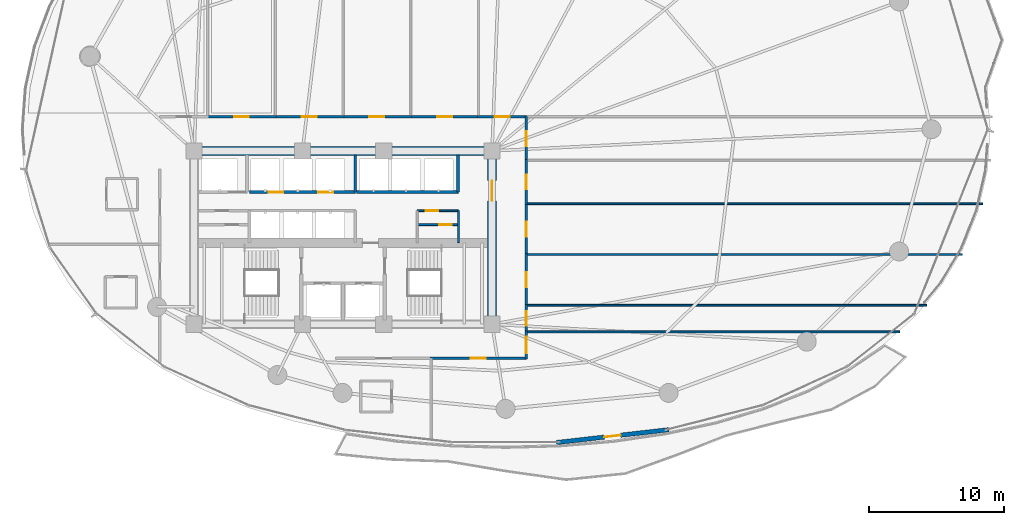
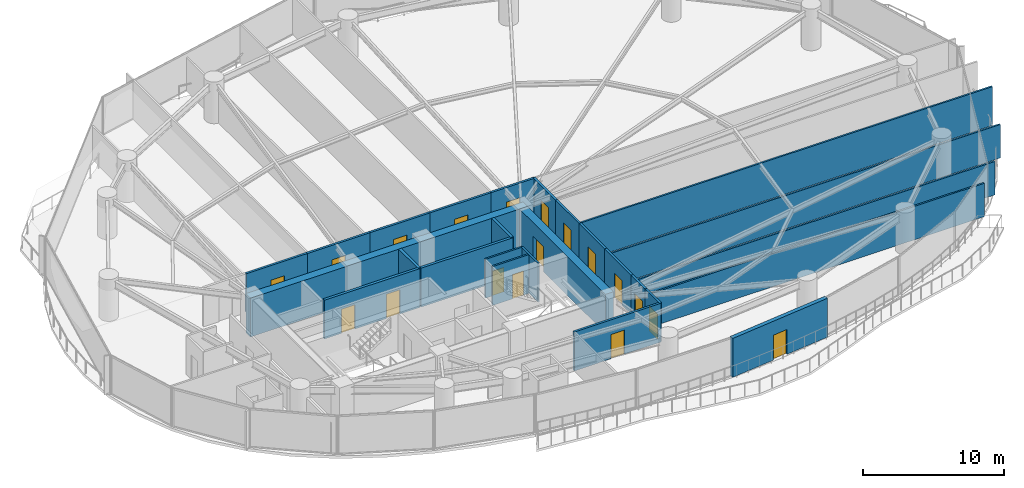
# One storey, part 27 of 34: 26 walls, 18 doors, 18 openings.
"""IFC4 building model written with IfcOpenShell, lengths in metres."""

from ifc_helpers import new_model, si_unit, direction, frame, frame_2d, origin, place, context, subcontext, project, spatial, rectangle, extrude, material, layer, layer_set, type_object, element, fill, save


model = new_model("IFC4")

# Units and contexts
model_context = context("Model", 3, precision=1e-05, world=origin(), true_north=direction((0.0, 1.0)))
body_context = subcontext(model_context, "Body", "Model", "MODEL_VIEW")
ifc_project = project(units=[si_unit("LENGTHUNIT", "METRE"), si_unit("AREAUNIT", "SQUARE_METRE"), si_unit("VOLUMEUNIT", "CUBIC_METRE"), si_unit("PLANEANGLEUNIT", "RADIAN"), si_unit("MASSUNIT", "GRAM", prefix="KILO")], contexts=[model_context])

# Site, building, storey
site_placement = place(None, origin())
site = spatial("IfcSite", under=ifc_project, at=site_placement, CompositionType="ELEMENT")
building_placement = place(site_placement, origin())
building = spatial("IfcBuilding", under=site, at=building_placement, Name="Kazevale Care Tower and Concert Hall", CompositionType="ELEMENT")
storey_placement = place(building_placement, frame((0.0, 0.0, 67.199951171875)))
storey = spatial("IfcBuildingStorey", under=building, at=storey_placement, Name="L17", CompositionType="ELEMENT", Elevation=67.199951171875)

# Wall
ifc_material_1 = material(Name="Acoustic Gypsum on Steel Stud", Category="steel")
ifc_layer_1 = layer(ifc_material_1, 0.139892578125)
ifc_layer_set_1 = layer_set([ifc_layer_1], Name="Acoustic Gypsum on Steel Stud")
wall_type_1 = type_object("IfcWallType", Name="Acoustic Care & Suite Partition 140", PredefinedType="PARTITIONING", material=ifc_layer_set_1)
wall_1_placement = place(storey_placement, frame((41.52001953125, 29.6201171875, 0.0), z_axis=(0.0, 0.0, 1.0), x_axis=(0.0, 1.0, 0.0)))
element("IfcWall", 1, at=wall_1_placement, inside=storey, type_object=wall_type_1, Name="wall:L17:kc_ee", PredefinedType="PARTITIONING", context=body_context, shape_type="SweptSolid", body=[
    extrude(rectangle(XDim=2.35986328125, YDim=0.139892578125, at=frame_2d((1.179931640625, 0.0))), origin(), (0.0, 0.0, 1.0), 3.360107421875),
])

# Wall, opening, door
wall_2_placement = place(storey_placement, frame((38.47998046875, 30.949951171875, 0.0), z_axis=(0.0, 0.0, 1.0), x_axis=(1.0, 0.0, 0.0)))
wall_2 = element("IfcWall", 2, at=wall_2_placement, inside=storey, type_object=wall_type_1, Name="wall:L17:kc_em", PredefinedType="PARTITIONING", context=body_context, shape_type="SweptSolid", body=[
    extrude(rectangle(XDim=3.0400390625, YDim=0.139892578125, at=frame_2d((1.52001953125, 0.0))), origin(), (0.0, 0.0, 1.0), 3.360107421875),
])
opening_1_placement = place(wall_2_placement, frame((1.616943359375, 0.0, 0.0)))
opening_1 = element("IfcOpeningElement", 3, at=opening_1_placement, cuts=wall_2, Name="Opening ID-900", PredefinedType="OPENING", context=body_context, shape_type="SweptSolid", body=[
    extrude(rectangle(XDim=0.919921875, YDim=2.10009765625, at=frame_2d((0.4599609375, 1.050048828125))), frame((0.0, 0.079833984375, 0.0), z_axis=(0.0, -1.0, 0.0), x_axis=(1.0, 0.0, 0.0)), (0.0, 0.0, 1.0), 0.159912109375),
])
ifc_material_2 = material(Name="Oak Timber Fire Leaf", Category="wood")
door_type_1 = type_object("IfcDoorType", Name="Bathroom & Service Door 920x2100", OperationType="NOTDEFINED", PredefinedType="DOOR", material=ifc_material_2)
door_1_placement = place(opening_1_placement, origin())
door_1 = element("IfcDoor", 4, at=door_1_placement, inside=storey, type_object=door_type_1, Name="door:L17:d_kceb", OperationType="SINGLE_SWING_RIGHT", OverallHeight=2.10009765625, OverallWidth=0.919921875, PredefinedType="DOOR", context=body_context, shape_type="SweptSolid", body=[
    extrude(rectangle(XDim=0.919921875, YDim=2.10009765625, at=frame_2d((0.4599609375, 1.050048828125))), frame((0.0, 0.02490234375, 0.0), z_axis=(0.0, -1.0, 0.0), x_axis=(1.0, 0.0, 0.0)), (0.0, 0.0, 1.0), 0.050048828125),
])
fill(opening_1, door_1)

wall_3_placement = place(storey_placement, frame((38.47998046875, 31.97998046875, 0.0), z_axis=(0.0, 0.0, 1.0), x_axis=(1.0, 0.0, 0.0)))
wall_3 = element("IfcWall", 5, at=wall_3_placement, inside=storey, type_object=wall_type_1, Name="wall:L17:kc_en", PredefinedType="PARTITIONING", context=body_context, shape_type="SweptSolid", body=[
    extrude(rectangle(XDim=3.0400390625, YDim=0.139892578125, at=frame_2d((1.52001953125, 0.0))), origin(), (0.0, 0.0, 1.0), 3.360107421875),
])
opening_2_placement = place(wall_3_placement, frame((0.614013671875, 0.0, 0.0)))
opening_2 = element("IfcOpeningElement", 6, at=opening_2_placement, cuts=wall_3, Name="Opening ID-900", PredefinedType="OPENING", context=body_context, shape_type="SweptSolid", body=[
    extrude(rectangle(XDim=0.919921875, YDim=2.10009765625, at=frame_2d((0.4599609375, 1.050048828125))), frame((0.0, 0.079833984375, 0.0), z_axis=(0.0, -1.0, 0.0), x_axis=(1.0, 0.0, 0.0)), (0.0, 0.0, 1.0), 0.159912109375),
])
door_2_placement = place(opening_2_placement, origin())
door_2 = element("IfcDoor", 7, at=door_2_placement, inside=storey, type_object=door_type_1, Name="door:L17:d_kcet", OperationType="SINGLE_SWING_LEFT", OverallHeight=2.10009765625, OverallWidth=0.919921875, PredefinedType="DOOR", context=body_context, shape_type="SweptSolid", body=[
    extrude(rectangle(XDim=0.919921875, YDim=2.10009765625, at=frame_2d((0.4599609375, 1.050048828125))), frame((0.0, 0.02490234375, 0.0), z_axis=(0.0, -1.0, 0.0), x_axis=(1.0, 0.0, 0.0)), (0.0, 0.0, 1.0), 0.050048828125),
])
fill(opening_2, door_2)

# Walls
wall_4_placement = place(storey_placement, frame((46.4951171875, 23.0400390625, 0.0), z_axis=(0.0, 0.0, 1.0), x_axis=(1.0, 0.0, 0.0)))
element("IfcWall", 8, at=wall_4_placement, inside=storey, type_object=wall_type_1, Name="wall:L17:auto_023", PredefinedType="PARTITIONING", context=body_context, shape_type="SweptSolid", body=[
    extrude(rectangle(XDim=27.599853515625, YDim=0.139892578125, at=frame_2d((13.7998046875, 0.0))), origin(), (0.0, 0.0, 1.0), 2.89013671875),
])
wall_5_placement = place(storey_placement, frame((46.4951171875, 25.0, 0.0), z_axis=(0.0, 0.0, 1.0), x_axis=(1.0, 0.0, 0.0)))
element("IfcWall", 9, at=wall_5_placement, inside=storey, type_object=wall_type_1, Name="wall:L17:auto_024", PredefinedType="PARTITIONING", context=body_context, shape_type="SweptSolid", body=[
    extrude(rectangle(XDim=29.591796875, YDim=0.139892578125, at=frame_2d((14.7958984375, 0.0))), origin(), (0.0, 0.0, 1.0), 2.89013671875),
])
wall_6_placement = place(storey_placement, frame((46.4951171875, 28.75, 0.0), z_axis=(0.0, 0.0, 1.0), x_axis=(1.0, 0.0, 0.0)))
element("IfcWall", 10, at=wall_6_placement, inside=storey, type_object=wall_type_1, Name="wall:L17:auto_025", PredefinedType="PARTITIONING", context=body_context, shape_type="SweptSolid", body=[
    extrude(rectangle(XDim=32.2119140625, YDim=0.139892578125, at=frame_2d((16.10595703125, 0.0))), origin(), (0.0, 0.0, 1.0), 2.89013671875),
])
wall_7_placement = place(storey_placement, frame((46.4951171875, 32.5, 0.0), z_axis=(0.0, 0.0, 1.0), x_axis=(1.0, 0.0, 0.0)))
element("IfcWall", 11, at=wall_7_placement, inside=storey, type_object=wall_type_1, Name="wall:L17:auto_026", PredefinedType="PARTITIONING", context=body_context, shape_type="SweptSolid", body=[
    extrude(rectangle(XDim=33.722900390625, YDim=0.139892578125, at=frame_2d((16.861328125, 0.0))), origin(), (0.0, 0.0, 1.0), 3.360107421875),
])
ifc_material_3 = material(Name="Concrete C70", Category="concrete")
ifc_layer_2 = layer(ifc_material_3, 0.64990234375)
ifc_layer_set_2 = layer_set([ifc_layer_2], Name="Concrete C70")
wall_type_2 = type_object("IfcWallType", Name="Core Shear Wall 650 C70", PredefinedType="SHEAR", material=ifc_layer_set_2)
wall_8_placement = place(storey_placement, frame((21.675048828125, 36.39990234375, 0.0), z_axis=(0.0, 0.0, 1.0), x_axis=(1.0, 0.0, 0.0)))
element("IfcWall", 12, at=wall_8_placement, inside=storey, type_object=wall_type_2, Name="wall:L17:core:N", PredefinedType="SHEAR", context=body_context, shape_type="SweptSolid", body=[
    extrude(rectangle(XDim=22.64990234375, YDim=0.64990234375, at=frame_2d((11.324951171875, 0.0))), origin(), (0.0, 0.0, 1.0), 3.360107421875),
])

# Wall, opening, door
wall_9_placement = place(storey_placement, frame((44.0, 23.925048828125, 0.0), z_axis=(0.0, 0.0, 1.0), x_axis=(0.0, 1.0, 0.0)))
wall_9 = element("IfcWall", 13, at=wall_9_placement, inside=storey, type_object=wall_type_2, Name="wall:L17:core:E", PredefinedType="SHEAR", context=body_context, shape_type="SweptSolid", body=[
    extrude(rectangle(XDim=12.14990234375, YDim=0.64990234375, at=frame_2d((6.074951171875, 0.0))), origin(), (0.0, 0.0, 1.0), 3.360107421875),
])
opening_3_placement = place(wall_9_placement, frame((8.77490234375, 0.0, 0.0)))
opening_3 = element("IfcOpeningElement", 14, at=opening_3_placement, cuts=wall_9, Name="Opening FD-60D", PredefinedType="OPENING", context=body_context, shape_type="SweptSolid", body=[
    extrude(rectangle(XDim=1.5, YDim=2.14990234375, at=frame_2d((0.75, 1.074951171875))), frame((0.0, 0.3349609375, 0.0), z_axis=(0.0, -1.0, 0.0), x_axis=(1.0, 0.0, 0.0)), (0.0, 0.0, 1.0), 0.669921875),
])
door_type_2 = type_object("IfcDoorType", Name="Double Lobby & Auditorium Fire Door 1500x2150", OperationType="NOTDEFINED", PredefinedType="DOOR", material=ifc_material_2)
door_3_placement = place(opening_3_placement, origin())
door_3 = element("IfcDoor", 15, at=door_3_placement, inside=storey, type_object=door_type_2, Name="door:L17:core_east_out", OperationType="DOUBLE_DOOR_SINGLE_SWING", OverallHeight=2.14990234375, OverallWidth=1.5, PredefinedType="DOOR", context=body_context, shape_type="SweptSolid", body=[
    extrude(rectangle(XDim=1.5, YDim=2.14990234375, at=frame_2d((0.75, 1.074951171875))), frame((0.0, 0.02490234375, 0.0), z_axis=(0.0, -1.0, 0.0), x_axis=(1.0, 0.0, 0.0)), (0.0, 0.0, 1.0), 0.050048828125),
])
fill(opening_3, door_3)

# Wall, openings, doors
ifc_material_4 = material(Name="Concrete C40", Category="concrete")
ifc_layer_3 = layer(ifc_material_4, 0.219970703125)
ifc_layer_set_3 = layer_set([ifc_layer_3], Name="Concrete C40")
wall_type_3 = type_object("IfcWallType", Name="Elevator Hoistway Shaft Wall 220", PredefinedType="SOLIDWALL", material=ifc_layer_set_3)
wall_10_placement = place(storey_placement, frame((26.10009765625, 33.35009765625, 0.0), z_axis=(0.0, 0.0, 1.0), x_axis=(1.0, 0.0, 0.0)))
wall_10 = element("IfcWall", 16, at=wall_10_placement, inside=storey, type_object=wall_type_3, Name="wall:L17:c_pl_s", PredefinedType="SOLIDWALL", context=body_context, shape_type="SweptSolid", body=[
    extrude(rectangle(XDim=7.7998046875, YDim=0.219970703125, at=frame_2d((3.89990234375, 0.0))), origin(), (0.0, 0.0, 1.0), 3.360107421875),
])
opening_4_placement = place(wall_10_placement, frame((1.39990234375, 0.0, 0.0)))
opening_4 = element("IfcOpeningElement", 17, at=opening_4_placement, cuts=wall_10, Name="Opening LD-PAX", PredefinedType="OPENING", context=body_context, shape_type="SweptSolid", body=[
    extrude(rectangle(XDim=1.10009765625, YDim=2.10009765625, at=frame_2d((0.550048828125, 1.050048828125))), frame((0.0, 0.119873046875, 0.0), z_axis=(0.0, -1.0, 0.0), x_axis=(1.0, 0.0, 0.0)), (0.0, 0.0, 1.0), 0.239990234375),
])
opening_5_placement = place(wall_10_placement, frame((5.06591796875, 0.0, 0.0)))
opening_5 = element("IfcOpeningElement", 18, at=opening_5_placement, cuts=wall_10, Name="Opening LD-PAX", PredefinedType="OPENING", context=body_context, shape_type="SweptSolid", body=[
    extrude(rectangle(XDim=1.10009765625, YDim=2.10009765625, at=frame_2d((0.550048828125, 1.050048828125))), frame((0.0, 0.119873046875, 0.0), z_axis=(0.0, -1.0, 0.0), x_axis=(1.0, 0.0, 0.0)), (0.0, 0.0, 1.0), 0.239990234375),
])
ifc_material_5 = material(Name="Stainless Steel 316", Category="steel")
door_type_3 = type_object("IfcDoorType", Name="Passenger Lift Sliding Landing Door 1100x2100", OperationType="NOTDEFINED", PredefinedType="DOOR", material=ifc_material_5)
door_4_placement = place(opening_4_placement, origin())
door_4 = element("IfcDoor", 19, at=door_4_placement, inside=storey, type_object=door_type_3, Name="door:L17:ld_pl1", OperationType="SLIDING_TO_LEFT", OverallHeight=2.10009765625, OverallWidth=1.10009765625, PredefinedType="DOOR", context=body_context, shape_type="SweptSolid", body=[
    extrude(rectangle(XDim=1.10009765625, YDim=2.10009765625, at=frame_2d((0.550048828125, 1.050048828125))), frame((0.0, 0.02490234375, 0.0), z_axis=(0.0, -1.0, 0.0), x_axis=(1.0, 0.0, 0.0)), (0.0, 0.0, 1.0), 0.050048828125),
])
fill(opening_4, door_4)
door_5_placement = place(opening_5_placement, origin())
door_5 = element("IfcDoor", 20, at=door_5_placement, inside=storey, type_object=door_type_3, Name="door:L17:ld_pl2", OperationType="SLIDING_TO_RIGHT", OverallHeight=2.10009765625, OverallWidth=1.10009765625, PredefinedType="DOOR", context=body_context, shape_type="SweptSolid", body=[
    extrude(rectangle(XDim=1.10009765625, YDim=2.10009765625, at=frame_2d((0.550048828125, 1.050048828125))), frame((0.0, 0.02490234375, 0.0), z_axis=(0.0, -1.0, 0.0), x_axis=(1.0, 0.0, 0.0)), (0.0, 0.0, 1.0), 0.050048828125),
])
fill(opening_5, door_5)

# Walls
wall_11_placement = place(storey_placement, frame((33.89990234375, 33.35009765625, 0.0), z_axis=(0.0, 0.0, 1.0), x_axis=(0.0, 1.0, 0.0)))
element("IfcWall", 21, at=wall_11_placement, inside=storey, type_object=wall_type_3, Name="wall:L17:c_pl_e", PredefinedType="SOLIDWALL", context=body_context, shape_type="SweptSolid", body=[
    extrude(rectangle(XDim=2.72998046875, YDim=0.219970703125, at=frame_2d((1.364990234375, 0.0))), origin(), (0.0, 0.0, 1.0), 3.360107421875),
])
wall_12_placement = place(storey_placement, frame((33.97998046875, 33.35009765625, 0.0), z_axis=(0.0, 0.0, 1.0), x_axis=(1.0, 0.0, 0.0)))
element("IfcWall", 22, at=wall_12_placement, inside=storey, type_object=wall_type_3, Name="wall:L17:c_pm_s", PredefinedType="SOLIDWALL", context=body_context, shape_type="SweptSolid", body=[
    extrude(rectangle(XDim=7.5400390625, YDim=0.219970703125, at=frame_2d((3.77001953125, 0.0))), origin(), (0.0, 0.0, 1.0), 3.360107421875),
])
wall_13_placement = place(storey_placement, frame((41.5, 33.35009765625, 0.0), z_axis=(0.0, 0.0, 1.0), x_axis=(0.0, 1.0, 0.0)))
element("IfcWall", 23, at=wall_13_placement, inside=storey, type_object=wall_type_3, Name="wall:L17:c_pm_e", PredefinedType="SOLIDWALL", context=body_context, shape_type="SweptSolid", body=[
    extrude(rectangle(XDim=2.75, YDim=0.219970703125, at=frame_2d((1.375, 0.0))), origin(), (0.0, 0.0, 1.0), 3.360107421875),
])

# Wall, opening, door
ifc_material_6 = material(Name="Concrete C40 and Acoustic Gypsum", Category="concrete")
ifc_layer_4 = layer(ifc_material_6, 0.179931640625)
ifc_layer_set_4 = layer_set([ifc_layer_4], Name="Concrete C40 and Acoustic Gypsum")
wall_type_4 = type_object("IfcWallType", Name="Fire-Rated Corridor & Party Wall 180", PredefinedType="PARTITIONING", material=ifc_layer_set_4)
wall_14_placement = place(storey_placement, frame((22.93505859375, 38.925048828125, 0.0), z_axis=(0.0, 0.0, 1.0), x_axis=(1.0, 0.0, 0.0)))
wall_14 = element("IfcWall", 24, at=wall_14_placement, inside=storey, type_object=wall_type_4, Name="wall:L17:auto_002", PredefinedType="PARTITIONING", context=body_context, shape_type="SweptSolid", body=[
    extrude(rectangle(XDim=5.1298828125, YDim=0.179931640625, at=frame_2d((2.56494140625, 0.0))), origin(), (0.0, 0.0, 1.0), 3.360107421875),
])
opening_6_placement = place(wall_14_placement, frame((2.014892578125, 0.0, 0.0)))
opening_6 = element("IfcOpeningElement", 25, at=opening_6_placement, cuts=wall_14, Name="Opening ID-1100", PredefinedType="OPENING", context=body_context, shape_type="SweptSolid", body=[
    extrude(rectangle(XDim=1.10009765625, YDim=2.10009765625, at=frame_2d((0.550048828125, 1.050048828125))), frame((0.0, 0.099853515625, 0.0), z_axis=(0.0, -1.0, 0.0), x_axis=(1.0, 0.0, 0.0)), (0.0, 0.0, 1.0), 0.199951171875),
])
door_type_4 = type_object("IfcDoorType", Name="Care Bedroom Accessible Door 1100x2100", OperationType="NOTDEFINED", PredefinedType="DOOR", material=ifc_material_2)
door_6_placement = place(opening_6_placement, origin())
door_6 = element("IfcDoor", 26, at=door_6_placement, inside=storey, type_object=door_type_4, Name="door:L17:ad_002", OperationType="SINGLE_SWING_LEFT", OverallHeight=2.10009765625, OverallWidth=1.10009765625, PredefinedType="DOOR", context=body_context, shape_type="SweptSolid", body=[
    extrude(rectangle(XDim=1.10009765625, YDim=2.10009765625, at=frame_2d((0.550048828125, 1.050048828125))), frame((0.0, 0.02490234375, 0.0), z_axis=(0.0, -1.0, 0.0), x_axis=(1.0, 0.0, 0.0)), (0.0, 0.0, 1.0), 0.050048828125),
])
fill(opening_6, door_6)

wall_15_placement = place(storey_placement, frame((27.93505859375, 38.925048828125, 0.0), z_axis=(0.0, 0.0, 1.0), x_axis=(1.0, 0.0, 0.0)))
wall_15 = element("IfcWall", 27, at=wall_15_placement, inside=storey, type_object=wall_type_4, Name="wall:L17:auto_003", PredefinedType="PARTITIONING", context=body_context, shape_type="SweptSolid", body=[
    extrude(rectangle(XDim=5.1298828125, YDim=0.179931640625, at=frame_2d((2.56494140625, 0.0))), origin(), (0.0, 0.0, 1.0), 3.360107421875),
])
opening_7_placement = place(wall_15_placement, frame((2.014892578125, 0.0, 0.0)))
opening_7 = element("IfcOpeningElement", 28, at=opening_7_placement, cuts=wall_15, Name="Opening ID-1100", PredefinedType="OPENING", context=body_context, shape_type="SweptSolid", body=[
    extrude(rectangle(XDim=1.10009765625, YDim=2.10009765625, at=frame_2d((0.550048828125, 1.050048828125))), frame((0.0, 0.099853515625, 0.0), z_axis=(0.0, -1.0, 0.0), x_axis=(1.0, 0.0, 0.0)), (0.0, 0.0, 1.0), 0.199951171875),
])
door_7_placement = place(opening_7_placement, origin())
door_7 = element("IfcDoor", 29, at=door_7_placement, inside=storey, type_object=door_type_4, Name="door:L17:ad_003", OperationType="SINGLE_SWING_LEFT", OverallHeight=2.10009765625, OverallWidth=1.10009765625, PredefinedType="DOOR", context=body_context, shape_type="SweptSolid", body=[
    extrude(rectangle(XDim=1.10009765625, YDim=2.10009765625, at=frame_2d((0.550048828125, 1.050048828125))), frame((0.0, 0.02490234375, 0.0), z_axis=(0.0, -1.0, 0.0), x_axis=(1.0, 0.0, 0.0)), (0.0, 0.0, 1.0), 0.050048828125),
])
fill(opening_7, door_7)

wall_16_placement = place(storey_placement, frame((32.93505859375, 38.925048828125, 0.0), z_axis=(0.0, 0.0, 1.0), x_axis=(1.0, 0.0, 0.0)))
wall_16 = element("IfcWall", 30, at=wall_16_placement, inside=storey, type_object=wall_type_4, Name="wall:L17:auto_004", PredefinedType="PARTITIONING", context=body_context, shape_type="SweptSolid", body=[
    extrude(rectangle(XDim=5.1298828125, YDim=0.179931640625, at=frame_2d((2.56494140625, 0.0))), origin(), (0.0, 0.0, 1.0), 3.360107421875),
])
opening_8_placement = place(wall_16_placement, frame((2.014892578125, 0.0, 0.0)))
opening_8 = element("IfcOpeningElement", 31, at=opening_8_placement, cuts=wall_16, Name="Opening ID-1100", PredefinedType="OPENING", context=body_context, shape_type="SweptSolid", body=[
    extrude(rectangle(XDim=1.10009765625, YDim=2.10009765625, at=frame_2d((0.550048828125, 1.050048828125))), frame((0.0, 0.099853515625, 0.0), z_axis=(0.0, -1.0, 0.0), x_axis=(1.0, 0.0, 0.0)), (0.0, 0.0, 1.0), 0.199951171875),
])
door_8_placement = place(opening_8_placement, origin())
door_8 = element("IfcDoor", 32, at=door_8_placement, inside=storey, type_object=door_type_4, Name="door:L17:ad_004", OperationType="SINGLE_SWING_LEFT", OverallHeight=2.10009765625, OverallWidth=1.10009765625, PredefinedType="DOOR", context=body_context, shape_type="SweptSolid", body=[
    extrude(rectangle(XDim=1.10009765625, YDim=2.10009765625, at=frame_2d((0.550048828125, 1.050048828125))), frame((0.0, 0.02490234375, 0.0), z_axis=(0.0, -1.0, 0.0), x_axis=(1.0, 0.0, 0.0)), (0.0, 0.0, 1.0), 0.050048828125),
])
fill(opening_8, door_8)

wall_17_placement = place(storey_placement, frame((37.93505859375, 38.925048828125, 0.0), z_axis=(0.0, 0.0, 1.0), x_axis=(1.0, 0.0, 0.0)))
wall_17 = element("IfcWall", 33, at=wall_17_placement, inside=storey, type_object=wall_type_4, Name="wall:L17:auto_005", PredefinedType="PARTITIONING", context=body_context, shape_type="SweptSolid", body=[
    extrude(rectangle(XDim=5.1298828125, YDim=0.179931640625, at=frame_2d((2.56494140625, 0.0))), origin(), (0.0, 0.0, 1.0), 3.360107421875),
])
opening_9_placement = place(wall_17_placement, frame((2.014892578125, 0.0, 0.0)))
opening_9 = element("IfcOpeningElement", 34, at=opening_9_placement, cuts=wall_17, Name="Opening ID-1100", PredefinedType="OPENING", context=body_context, shape_type="SweptSolid", body=[
    extrude(rectangle(XDim=1.10009765625, YDim=2.10009765625, at=frame_2d((0.550048828125, 1.050048828125))), frame((0.0, 0.099853515625, 0.0), z_axis=(0.0, -1.0, 0.0), x_axis=(1.0, 0.0, 0.0)), (0.0, 0.0, 1.0), 0.199951171875),
])
door_9_placement = place(opening_9_placement, origin())
door_9 = element("IfcDoor", 35, at=door_9_placement, inside=storey, type_object=door_type_4, Name="door:L17:ad_005", OperationType="SINGLE_SWING_LEFT", OverallHeight=2.10009765625, OverallWidth=1.10009765625, PredefinedType="DOOR", context=body_context, shape_type="SweptSolid", body=[
    extrude(rectangle(XDim=1.10009765625, YDim=2.10009765625, at=frame_2d((0.550048828125, 1.050048828125))), frame((0.0, 0.02490234375, 0.0), z_axis=(0.0, -1.0, 0.0), x_axis=(1.0, 0.0, 0.0)), (0.0, 0.0, 1.0), 0.050048828125),
])
fill(opening_9, door_9)

wall_18_placement = place(storey_placement, frame((42.93505859375, 38.925048828125, 0.0), z_axis=(0.0, 0.0, 1.0), x_axis=(1.0, 0.0, 0.0)))
wall_18 = element("IfcWall", 36, at=wall_18_placement, inside=storey, type_object=wall_type_4, Name="wall:L17:auto_006", PredefinedType="PARTITIONING", context=body_context, shape_type="SweptSolid", body=[
    extrude(rectangle(XDim=3.619873046875, YDim=0.179931640625, at=frame_2d((1.81005859375, 0.0))), origin(), (0.0, 0.0, 1.0), 3.360107421875),
])
opening_10_placement = place(wall_18_placement, frame((1.260009765625, 0.0, 0.0)))
opening_10 = element("IfcOpeningElement", 37, at=opening_10_placement, cuts=wall_18, Name="Opening ID-1100", PredefinedType="OPENING", context=body_context, shape_type="SweptSolid", body=[
    extrude(rectangle(XDim=1.10009765625, YDim=2.10009765625, at=frame_2d((0.550048828125, 1.050048828125))), frame((0.0, 0.099853515625, 0.0), z_axis=(0.0, -1.0, 0.0), x_axis=(1.0, 0.0, 0.0)), (0.0, 0.0, 1.0), 0.199951171875),
])
door_10_placement = place(opening_10_placement, origin())
door_10 = element("IfcDoor", 38, at=door_10_placement, inside=storey, type_object=door_type_4, Name="door:L17:ad_006", OperationType="SINGLE_SWING_LEFT", OverallHeight=2.10009765625, OverallWidth=1.10009765625, PredefinedType="DOOR", context=body_context, shape_type="SweptSolid", body=[
    extrude(rectangle(XDim=1.10009765625, YDim=2.10009765625, at=frame_2d((0.550048828125, 1.050048828125))), frame((0.0, 0.02490234375, 0.0), z_axis=(0.0, -1.0, 0.0), x_axis=(1.0, 0.0, 0.0)), (0.0, 0.0, 1.0), 0.050048828125),
])
fill(opening_10, door_10)

wall_19_placement = place(storey_placement, frame((46.52490234375, 23.10498046875, 0.0), z_axis=(0.0, 0.0, 1.0), x_axis=(0.0, -1.0, 0.0)))
wall_19 = element("IfcWall", 39, at=wall_19_placement, inside=storey, type_object=wall_type_4, Name="wall:L17:auto_007", PredefinedType="PARTITIONING", context=body_context, shape_type="SweptSolid", body=[
    extrude(rectangle(XDim=2.06005859375, YDim=0.179931640625, at=frame_2d((1.030029296875, 0.0))), origin(), (0.0, 0.0, 1.0), 3.360107421875),
])
opening_11_placement = place(wall_19_placement, frame((0.429931640625, 0.0, 0.0)))
opening_11 = element("IfcOpeningElement", 40, at=opening_11_placement, cuts=wall_19, Name="Opening ID-1200", PredefinedType="OPENING", context=body_context, shape_type="SweptSolid", body=[
    extrude(rectangle(XDim=1.199951171875, YDim=2.14990234375, at=frame_2d((0.60009765625, 1.074951171875))), frame((0.0, 0.099853515625, 0.0), z_axis=(0.0, -1.0, 0.0), x_axis=(1.0, 0.0, 0.0)), (0.0, 0.0, 1.0), 0.199951171875),
])
door_type_5 = type_object("IfcDoorType", Name="Clinical & Therapy Door 1200x2150", OperationType="NOTDEFINED", PredefinedType="DOOR", material=ifc_material_2)
door_11_placement = place(opening_11_placement, origin())
door_11 = element("IfcDoor", 41, at=door_11_placement, inside=storey, type_object=door_type_5, Name="door:L17:ad_007", OperationType="SINGLE_SWING_LEFT", OverallHeight=2.14990234375, OverallWidth=1.199951171875, PredefinedType="DOOR", context=body_context, shape_type="SweptSolid", body=[
    extrude(rectangle(XDim=1.199951171875, YDim=2.14990234375, at=frame_2d((0.60009765625, 1.074951171875))), frame((0.0, 0.02490234375, 0.0), z_axis=(0.0, -1.0, 0.0), x_axis=(1.0, 0.0, 0.0)), (0.0, 0.0, 1.0), 0.050048828125),
])
fill(opening_11, door_11)

wall_20_placement = place(storey_placement, frame((46.52490234375, 25.06494140625, 0.0), z_axis=(0.0, 0.0, 1.0), x_axis=(0.0, -1.0, 0.0)))
wall_20 = element("IfcWall", 42, at=wall_20_placement, inside=storey, type_object=wall_type_4, Name="wall:L17:auto_008", PredefinedType="PARTITIONING", context=body_context, shape_type="SweptSolid", body=[
    extrude(rectangle(XDim=2.08984375, YDim=0.179931640625, at=frame_2d((1.044921875, 0.0))), origin(), (0.0, 0.0, 1.0), 3.360107421875),
])
opening_12_placement = place(wall_20_placement, frame((0.4951171875, 0.0, 0.0)))
opening_12 = element("IfcOpeningElement", 43, at=opening_12_placement, cuts=wall_20, Name="Opening ID-1100", PredefinedType="OPENING", context=body_context, shape_type="SweptSolid", body=[
    extrude(rectangle(XDim=1.10009765625, YDim=2.10009765625, at=frame_2d((0.550048828125, 1.050048828125))), frame((0.0, 0.099853515625, 0.0), z_axis=(0.0, -1.0, 0.0), x_axis=(1.0, 0.0, 0.0)), (0.0, 0.0, 1.0), 0.199951171875),
])
door_12_placement = place(opening_12_placement, origin())
door_12 = element("IfcDoor", 44, at=door_12_placement, inside=storey, type_object=door_type_4, Name="door:L17:ad_008", OperationType="SINGLE_SWING_LEFT", OverallHeight=2.10009765625, OverallWidth=1.10009765625, PredefinedType="DOOR", context=body_context, shape_type="SweptSolid", body=[
    extrude(rectangle(XDim=1.10009765625, YDim=2.10009765625, at=frame_2d((0.550048828125, 1.050048828125))), frame((0.0, 0.02490234375, 0.0), z_axis=(0.0, -1.0, 0.0), x_axis=(1.0, 0.0, 0.0)), (0.0, 0.0, 1.0), 0.050048828125),
])
fill(opening_12, door_12)

wall_21_placement = place(storey_placement, frame((46.52490234375, 28.81494140625, 0.0), z_axis=(0.0, 0.0, 1.0), x_axis=(0.0, -1.0, 0.0)))
wall_21 = element("IfcWall", 45, at=wall_21_placement, inside=storey, type_object=wall_type_4, Name="wall:L17:auto_009", PredefinedType="PARTITIONING", context=body_context, shape_type="SweptSolid", body=[
    extrude(rectangle(XDim=3.8798828125, YDim=0.179931640625, at=frame_2d((1.93994140625, 0.0))), origin(), (0.0, 0.0, 1.0), 3.360107421875),
])
opening_13_placement = place(wall_21_placement, frame((1.389892578125, 0.0, 0.0)))
opening_13 = element("IfcOpeningElement", 46, at=opening_13_placement, cuts=wall_21, Name="Opening ID-1100", PredefinedType="OPENING", context=body_context, shape_type="SweptSolid", body=[
    extrude(rectangle(XDim=1.10009765625, YDim=2.10009765625, at=frame_2d((0.550048828125, 1.050048828125))), frame((0.0, 0.099853515625, 0.0), z_axis=(0.0, -1.0, 0.0), x_axis=(1.0, 0.0, 0.0)), (0.0, 0.0, 1.0), 0.199951171875),
])
door_13_placement = place(opening_13_placement, origin())
door_13 = element("IfcDoor", 47, at=door_13_placement, inside=storey, type_object=door_type_4, Name="door:L17:ad_009", OperationType="SINGLE_SWING_LEFT", OverallHeight=2.10009765625, OverallWidth=1.10009765625, PredefinedType="DOOR", context=body_context, shape_type="SweptSolid", body=[
    extrude(rectangle(XDim=1.10009765625, YDim=2.10009765625, at=frame_2d((0.550048828125, 1.050048828125))), frame((0.0, 0.02490234375, 0.0), z_axis=(0.0, -1.0, 0.0), x_axis=(1.0, 0.0, 0.0)), (0.0, 0.0, 1.0), 0.050048828125),
])
fill(opening_13, door_13)

wall_22_placement = place(storey_placement, frame((46.52490234375, 32.56494140625, 0.0), z_axis=(0.0, 0.0, 1.0), x_axis=(0.0, -1.0, 0.0)))
wall_22 = element("IfcWall", 48, at=wall_22_placement, inside=storey, type_object=wall_type_4, Name="wall:L17:auto_010", PredefinedType="PARTITIONING", context=body_context, shape_type="SweptSolid", body=[
    extrude(rectangle(XDim=3.8798828125, YDim=0.179931640625, at=frame_2d((1.93994140625, 0.0))), origin(), (0.0, 0.0, 1.0), 3.360107421875),
])
opening_14_placement = place(wall_22_placement, frame((1.389892578125, 0.0, 0.0)))
opening_14 = element("IfcOpeningElement", 49, at=opening_14_placement, cuts=wall_22, Name="Opening ID-1100", PredefinedType="OPENING", context=body_context, shape_type="SweptSolid", body=[
    extrude(rectangle(XDim=1.10009765625, YDim=2.10009765625, at=frame_2d((0.550048828125, 1.050048828125))), frame((0.0, 0.099853515625, 0.0), z_axis=(0.0, -1.0, 0.0), x_axis=(1.0, 0.0, 0.0)), (0.0, 0.0, 1.0), 0.199951171875),
])
door_14_placement = place(opening_14_placement, origin())
door_14 = element("IfcDoor", 50, at=door_14_placement, inside=storey, type_object=door_type_4, Name="door:L17:ad_010", OperationType="SINGLE_SWING_LEFT", OverallHeight=2.10009765625, OverallWidth=1.10009765625, PredefinedType="DOOR", context=body_context, shape_type="SweptSolid", body=[
    extrude(rectangle(XDim=1.10009765625, YDim=2.10009765625, at=frame_2d((0.550048828125, 1.050048828125))), frame((0.0, 0.02490234375, 0.0), z_axis=(0.0, -1.0, 0.0), x_axis=(1.0, 0.0, 0.0)), (0.0, 0.0, 1.0), 0.050048828125),
])
fill(opening_14, door_14)

wall_23_placement = place(storey_placement, frame((46.52490234375, 35.77490234375, 0.0), z_axis=(0.0, 0.0, 1.0), x_axis=(0.0, -1.0, 0.0)))
wall_23 = element("IfcWall", 51, at=wall_23_placement, inside=storey, type_object=wall_type_4, Name="wall:L17:auto_011", PredefinedType="PARTITIONING", context=body_context, shape_type="SweptSolid", body=[
    extrude(rectangle(XDim=3.33984375, YDim=0.179931640625, at=frame_2d((1.669921875, 0.0))), origin(), (0.0, 0.0, 1.0), 3.360107421875),
])
opening_15_placement = place(wall_23_placement, frame((1.1201171875, 0.0, 0.0)))
opening_15 = element("IfcOpeningElement", 52, at=opening_15_placement, cuts=wall_23, Name="Opening ID-1100", PredefinedType="OPENING", context=body_context, shape_type="SweptSolid", body=[
    extrude(rectangle(XDim=1.10009765625, YDim=2.10009765625, at=frame_2d((0.550048828125, 1.050048828125))), frame((0.0, 0.099853515625, 0.0), z_axis=(0.0, -1.0, 0.0), x_axis=(1.0, 0.0, 0.0)), (0.0, 0.0, 1.0), 0.199951171875),
])
door_15_placement = place(opening_15_placement, origin())
door_15 = element("IfcDoor", 53, at=door_15_placement, inside=storey, type_object=door_type_4, Name="door:L17:ad_011", OperationType="SINGLE_SWING_LEFT", OverallHeight=2.10009765625, OverallWidth=1.10009765625, PredefinedType="DOOR", context=body_context, shape_type="SweptSolid", body=[
    extrude(rectangle(XDim=1.10009765625, YDim=2.10009765625, at=frame_2d((0.550048828125, 1.050048828125))), frame((0.0, 0.02490234375, 0.0), z_axis=(0.0, -1.0, 0.0), x_axis=(1.0, 0.0, 0.0)), (0.0, 0.0, 1.0), 0.050048828125),
])
fill(opening_15, door_15)

wall_24_placement = place(storey_placement, frame((46.52490234375, 38.955078125, 0.0), z_axis=(0.0, 0.0, 1.0), x_axis=(0.0, -1.0, 0.0)))
wall_24 = element("IfcWall", 54, at=wall_24_placement, inside=storey, type_object=wall_type_4, Name="wall:L17:auto_012", PredefinedType="PARTITIONING", context=body_context, shape_type="SweptSolid", body=[
    extrude(rectangle(XDim=3.31005859375, YDim=0.179931640625, at=frame_2d((1.655029296875, 0.0))), origin(), (0.0, 0.0, 1.0), 3.360107421875),
])
opening_16_placement = place(wall_24_placement, frame((1.10498046875, 0.0, 0.0)))
opening_16 = element("IfcOpeningElement", 55, at=opening_16_placement, cuts=wall_24, Name="Opening ID-1100", PredefinedType="OPENING", context=body_context, shape_type="SweptSolid", body=[
    extrude(rectangle(XDim=1.10009765625, YDim=2.10009765625, at=frame_2d((0.550048828125, 1.050048828125))), frame((0.0, 0.099853515625, 0.0), z_axis=(0.0, -1.0, 0.0), x_axis=(1.0, 0.0, 0.0)), (0.0, 0.0, 1.0), 0.199951171875),
])
door_16_placement = place(opening_16_placement, origin())
door_16 = element("IfcDoor", 56, at=door_16_placement, inside=storey, type_object=door_type_4, Name="door:L17:ad_012", OperationType="SINGLE_SWING_LEFT", OverallHeight=2.10009765625, OverallWidth=1.10009765625, PredefinedType="DOOR", context=body_context, shape_type="SweptSolid", body=[
    extrude(rectangle(XDim=1.10009765625, YDim=2.10009765625, at=frame_2d((0.550048828125, 1.050048828125))), frame((0.0, 0.02490234375, 0.0), z_axis=(0.0, -1.0, 0.0), x_axis=(1.0, 0.0, 0.0)), (0.0, 0.0, 1.0), 0.050048828125),
])
fill(opening_16, door_16)

wall_25_placement = place(storey_placement, frame((46.554931640625, 21.10009765625, 0.0), z_axis=(0.0, 0.0, 1.0), x_axis=(-0.999993762996, -0.00353185055, 0.0)))
wall_25 = element("IfcWall", 57, at=wall_25_placement, inside=storey, type_object=wall_type_4, Name="wall:L17:auto_014", PredefinedType="PARTITIONING", context=body_context, shape_type="SweptSolid", body=[
    extrude(rectangle(XDim=7.119873046875, YDim=0.179931640625, at=frame_2d((3.56005859375, 0.0))), origin(), (0.0, 0.0, 1.0), 3.360107421875),
])
opening_17_placement = place(wall_25_placement, frame((3.010009765625, 0.0, 0.0)))
opening_17 = element("IfcOpeningElement", 58, at=opening_17_placement, cuts=wall_25, Name="Opening ID-1100", PredefinedType="OPENING", context=body_context, shape_type="SweptSolid", body=[
    extrude(rectangle(XDim=1.10009765625, YDim=2.10009765625, at=frame_2d((0.550048828125, 1.050048828125))), frame((0.0, 0.099853515625, 0.0), z_axis=(0.0, -1.0, 0.0), x_axis=(1.0, 0.0, 0.0)), (0.0, 0.0, 1.0), 0.199951171875),
])
door_17_placement = place(opening_17_placement, origin())
door_17 = element("IfcDoor", 59, at=door_17_placement, inside=storey, type_object=door_type_4, Name="door:L17:ad_014", OperationType="SINGLE_SWING_LEFT", OverallHeight=2.10009765625, OverallWidth=1.10009765625, PredefinedType="DOOR", context=body_context, shape_type="SweptSolid", body=[
    extrude(rectangle(XDim=1.10009765625, YDim=2.10009765625, at=frame_2d((0.550048828125, 1.050048828125))), frame((0.0, 0.02490234375, 0.0), z_axis=(0.0, -1.0, 0.0), x_axis=(1.0, 0.0, 0.0)), (0.0, 0.0, 1.0), 0.050048828125),
])
fill(opening_17, door_17)

ifc_material_7 = material(Name="Concrete C40 with Honed Limestone Cladding", Category="masonry")
ifc_layer_5 = layer(ifc_material_7, 0.320068359375)
ifc_layer_set_5 = layer_set([ifc_layer_5], Name="Concrete C40 with Honed Limestone Cladding")
wall_type_5 = type_object("IfcWallType", Name="Tower Honed Limestone Spandrel Wall 320", PredefinedType="STANDARD", material=ifc_layer_set_5)
wall_26_placement = place(storey_placement, frame((57.050048828125, 15.81201171875, 0.0), z_axis=(0.0, 0.0, 1.0), x_axis=(-0.993503192468, -0.113804246649, 0.0)))
wall_26 = element("IfcWall", 60, at=wall_26_placement, inside=storey, type_object=wall_type_5, Name="wall:L17:bal_host", PredefinedType="STANDARD", context=body_context, shape_type="SweptSolid", body=[
    extrude(rectangle(XDim=8.364501953125, YDim=0.320068359375, at=frame_2d((4.18212890625, 0.0))), origin(), (0.0, 0.0, 1.0), 3.360107421875),
])
opening_18_placement = place(wall_26_placement, frame((3.58203125, 0.0, 0.0)))
opening_18 = element("IfcOpeningElement", 61, at=opening_18_placement, cuts=wall_26, Name="Opening BD-1200", PredefinedType="OPENING", context=body_context, shape_type="SweptSolid", body=[
    extrude(rectangle(XDim=1.199951171875, YDim=2.14990234375, at=frame_2d((0.60009765625, 1.074951171875))), frame((0.0, 0.169921875, 0.0), z_axis=(0.0, -1.0, 0.0), x_axis=(1.0, 0.0, 0.0)), (0.0, 0.0, 1.0), 0.340087890625),
])
ifc_material_8 = material(Name="Aluminium 6063-T6 and Low-E Glass", Category="aluminium")
door_type_6 = type_object("IfcDoorType", Name="Sheltered Balcony Glazed Door 1200x2150", OperationType="NOTDEFINED", PredefinedType="DOOR", material=ifc_material_8)
door_18_placement = place(opening_18_placement, origin())
door_18 = element("IfcDoor", 62, at=door_18_placement, inside=storey, type_object=door_type_6, Name="door:L17:BD-1", OperationType="SINGLE_SWING_LEFT", OverallHeight=2.14990234375, OverallWidth=1.199951171875, PredefinedType="DOOR", context=body_context, shape_type="SweptSolid", body=[
    extrude(rectangle(XDim=1.199951171875, YDim=2.14990234375, at=frame_2d((0.60009765625, 1.074951171875))), frame((0.0, 0.02490234375, 0.0), z_axis=(0.0, -1.0, 0.0), x_axis=(1.0, 0.0, 0.0)), (0.0, 0.0, 1.0), 0.050048828125),
])
fill(opening_18, door_18)

save(model, "model.ifc")
